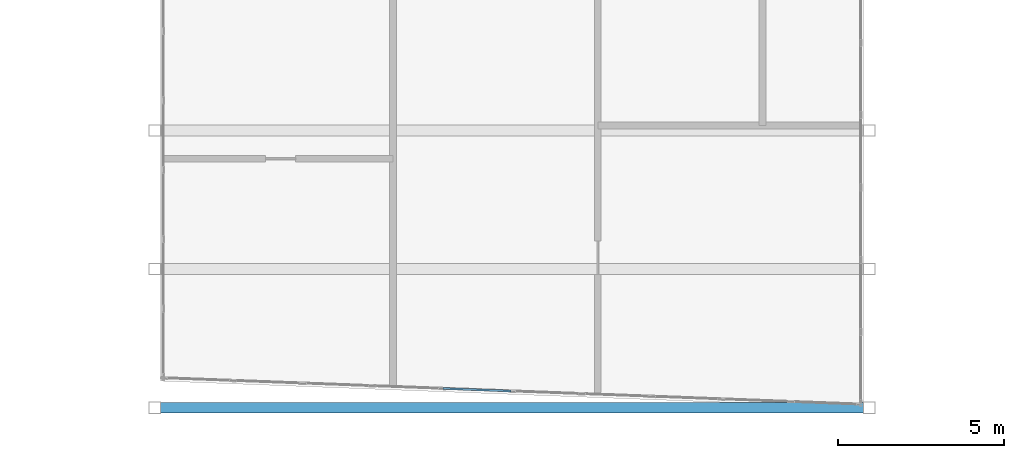
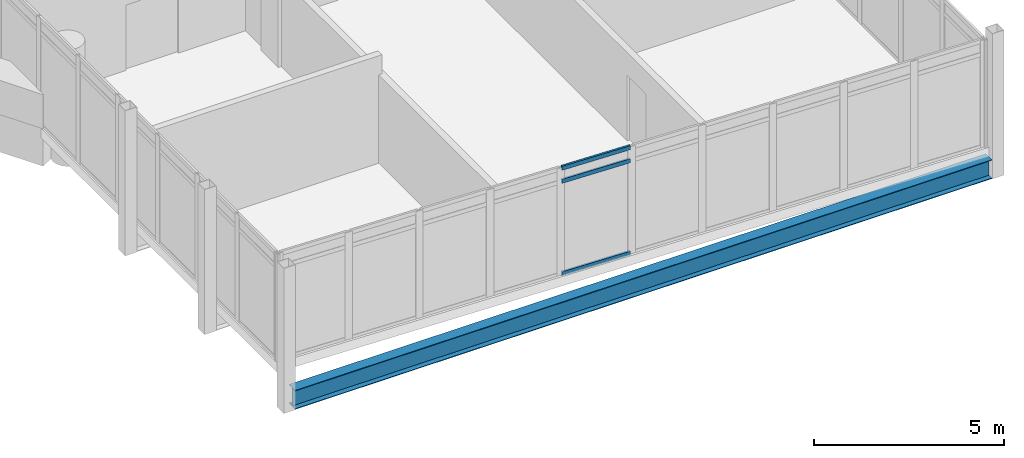
# One storey, part 3 of 25: 3 members, 1 beam, 1 element without a shape of its own.
"""IFC4 building model written with IfcOpenShell, lengths in metres."""

from ifc_helpers import new_model, si_unit, direction, frame, origin, origin_2d, place, context, subcontext, project, spatial, hollow_rectangle, i_section, extrude, material, material_profile, profile_set, type_object, element, aggregate, save


model = new_model("IFC4")

# Units and contexts
model_context = context("Model", 3, precision=1e-05, world=origin(), true_north=direction((0.0, 1.0)))
body_context = subcontext(model_context, "Body", "Model", "MODEL_VIEW")
ifc_project = project(units=[si_unit("LENGTHUNIT", "METRE"), si_unit("AREAUNIT", "SQUARE_METRE"), si_unit("VOLUMEUNIT", "CUBIC_METRE"), si_unit("PLANEANGLEUNIT", "RADIAN"), si_unit("MASSUNIT", "GRAM", prefix="KILO")], contexts=[model_context])

# Site, building, storey
site_placement = place(None, origin())
site = spatial("IfcSite", under=ifc_project, at=site_placement, CompositionType="ELEMENT")
building_placement = place(site_placement, origin())
building = spatial("IfcBuilding", under=site, at=building_placement, Name="Ostrander Bayou Hotel Tower", CompositionType="ELEMENT")
storey_placement = place(building_placement, frame((0.0, 0.0, 233.25)))
storey = spatial("IfcBuildingStorey", under=building, at=storey_placement, Name="L58", CompositionType="ELEMENT", Elevation=233.25)

# Curtain wall, members
ifc_material_1 = material(Name="Aluminium and clear glass", Category="aluminium")
curtain_wall_type = type_object("IfcCurtainWallType", Name="CW-BAR glazed wall", PredefinedType="NOTDEFINED", material=ifc_material_1)
curtain_wall_placement = place(storey_placement, origin())
curtain_wall = element("IfcCurtainWall", 1, at=curtain_wall_placement, inside=storey, type_object=curtain_wall_type, Name="CW-BAR L58:SB5S:T", PredefinedType="NOTDEFINED")
ifc_material_2 = material(Name="Aluminium", Category="aluminium")
ifc_material_profile_1 = material_profile(ifc_material_2, hollow_rectangle(XDim=0.06005859375, YDim=0.1298828125, WallThickness=0.00390625, at=origin_2d()))
ifc_profile_set_1 = profile_set([ifc_material_profile_1], Name="Aluminium")
member_type = type_object("IfcMemberType", Name="CW-BR transom 60 x 130 mm", PredefinedType="USERDEFINED", material=ifc_profile_set_1)
member_1_placement = place(storey_placement, frame((-2.072509765625, -28.921630859375, 0.030029296875), z_axis=(0.999287402917, -0.037745017849, 0.0), x_axis=(0.037745017849, 0.999287402917, 0.0)))
member_1 = element("IfcMember", 2, at=member_1_placement, type_object=member_type, Name="CW-BAR transom 5.1", ObjectType="TRANSOM", PredefinedType="USERDEFINED", context=body_context, shape_type="SweptSolid", body=[
    extrude(hollow_rectangle(XDim=0.06005859375, YDim=0.1298828125, WallThickness=0.00390625, at=origin_2d()), origin(), (0.0, 0.0, 1.0), 2.0439453125),
])
member_2_placement = place(storey_placement, frame((-2.072509765625, -28.921630859375, 3.0), z_axis=(0.999287402917, -0.037745017849, 0.0), x_axis=(0.037745017849, 0.999287402917, 0.0)))
member_2 = element("IfcMember", 3, at=member_2_placement, type_object=member_type, Name="CW-BAR transom 5.2", ObjectType="TRANSOM", PredefinedType="USERDEFINED", context=body_context, shape_type="SweptSolid", body=[
    extrude(hollow_rectangle(XDim=0.06005859375, YDim=0.1298828125, WallThickness=0.00390625, at=origin_2d()), origin(), (0.0, 0.0, 1.0), 2.0439453125),
])
member_3_placement = place(storey_placement, frame((-2.072509765625, -28.921630859375, 3.419921875), z_axis=(0.999287402917, -0.037745017849, 0.0), x_axis=(0.037745017849, 0.999287402917, 0.0)))
member_3 = element("IfcMember", 4, at=member_3_placement, type_object=member_type, Name="CW-BAR transom 5.3", ObjectType="TRANSOM", PredefinedType="USERDEFINED", context=body_context, shape_type="SweptSolid", body=[
    extrude(hollow_rectangle(XDim=0.06005859375, YDim=0.1298828125, WallThickness=0.00390625, at=origin_2d()), origin(), (0.0, 0.0, 1.0), 2.0439453125),
])
aggregate(curtain_wall, [member_1, member_2, member_3])

# Beam
ifc_material_3 = material(Name="Steel ASTM A992", Category="steel")
ifc_material_profile_2 = material_profile(ifc_material_3, i_section(OverallWidth=0.32373046875, OverallDepth=0.611083984375, WebThickness=0.0126953125, FlangeThickness=0.01904296875, at=origin_2d()))
ifc_profile_set_2 = profile_set([ifc_material_profile_2], Name="Steel ASTM A992")
beam_type = type_object("IfcBeamType", Name="TF2 bar floor beam W24x104", PredefinedType="BEAM", material=ifc_profile_set_2)
beam_placement = place(storey_placement, frame((-10.587158203125, -29.5, -0.605712890625), z_axis=(1.0, 0.0, 0.0), x_axis=(0.0, 1.0, 0.0)))
element("IfcBeam", 5, at=beam_placement, inside=storey, type_object=beam_type, Name="TF2 SB5S L4-3", PredefinedType="BEAM", context=body_context, shape_type="SweptSolid", body=[
    extrude(i_section(OverallWidth=0.32373046875, OverallDepth=0.611083984375, WebThickness=0.0126953125, FlangeThickness=0.01904296875, at=origin_2d()), origin(), (0.0, 0.0, 1.0), 21.17431640625),
])

save(model, "model.ifc")
